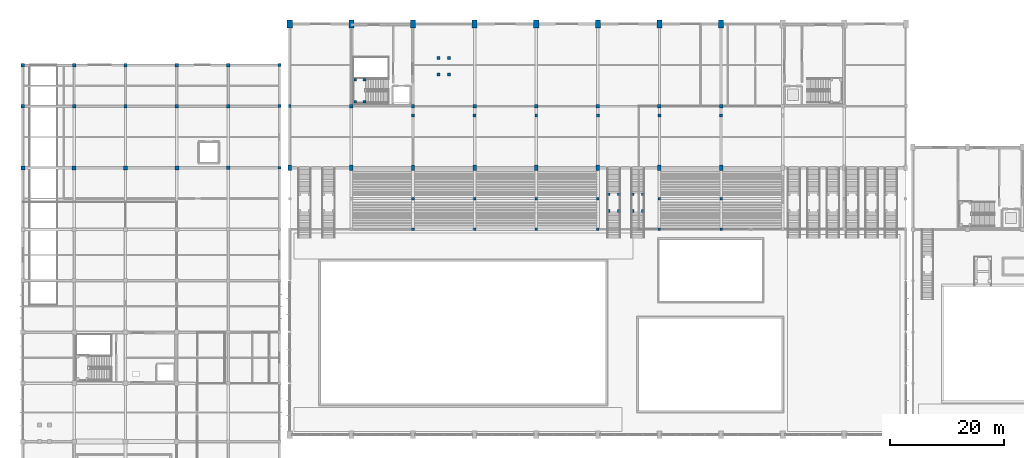
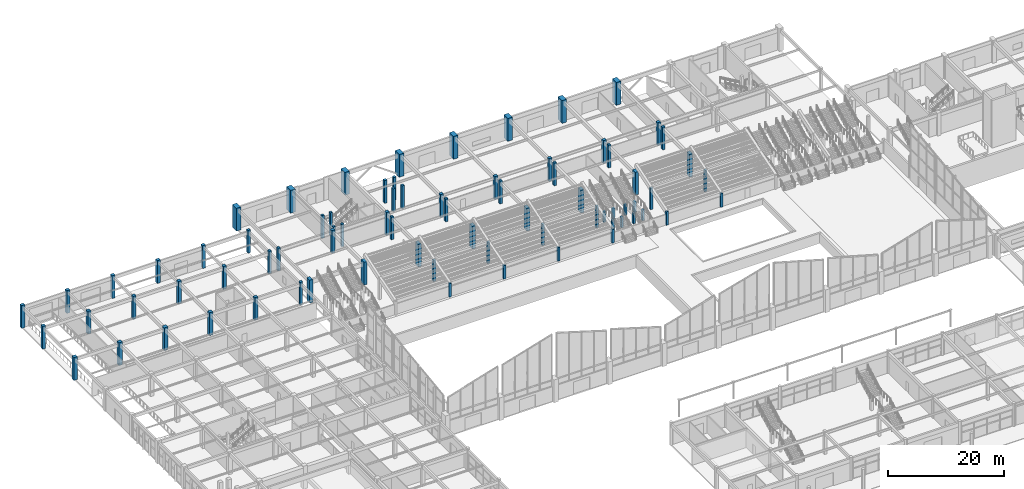
# One storey, part 8 of 82: 76 columns.
"""IFC4 building model written with IfcOpenShell, lengths in metres."""

from ifc_helpers import new_model, si_unit, direction, frame, origin, origin_2d, place, context, subcontext, project, spatial, rectangle, extrude, material, material_profile, profile_set, type_object, element, save


model = new_model("IFC4")

# Units and contexts
model_context = context("Model", 3, precision=1e-05, world=origin(), true_north=direction((0.0, 1.0)))
body_context = subcontext(model_context, "Body", "Model", "MODEL_VIEW")
ifc_project = project(units=[si_unit("LENGTHUNIT", "METRE"), si_unit("AREAUNIT", "SQUARE_METRE"), si_unit("VOLUMEUNIT", "CUBIC_METRE"), si_unit("PLANEANGLEUNIT", "RADIAN"), si_unit("MASSUNIT", "GRAM", prefix="KILO")], contexts=[model_context])

# Site, building, storey
site_placement = place(None, origin())
site = spatial("IfcSite", under=ifc_project, at=site_placement, CompositionType="ELEMENT")
building_placement = place(site_placement, origin())
building = spatial("IfcBuilding", under=site, at=building_placement, Name="Suirenkawa Promenade Aquatics Centre", CompositionType="ELEMENT")
storey_placement = place(building_placement, origin())
storey = spatial("IfcBuildingStorey", under=building, at=storey_placement, Name="L00", CompositionType="ELEMENT", Elevation=0.0)

# Columns
ifc_material = material(Name="Concrete M40", Category="concrete")
ifc_material_profile_1 = material_profile(ifc_material, rectangle(XDim=0.60009765625, YDim=1.0, at=origin_2d()), Name="RC PIER 600x1000", Category="concrete")
ifc_profile_set_1 = profile_set([ifc_material_profile_1], Name="Concrete M40")
column_type_1 = type_object("IfcColumnType", Name="CT-PIER-600x1000", PredefinedType="COLUMN", material=ifc_profile_set_1)
for number, where, z_axis, x_axis, name in (
    (1, (46.800048828125, 97.199951171875, 0.0), (0.0, 0.0, 1.0), (1.0, 0.0, 0.0), "Column CL-07 COL-0104"),
    (2, (57.60009765625, 97.199951171875, 0.0), (0.0, 0.0, 1.0), (1.0, 0.0, 0.0), "Column CL-07 COL-0110"),
    (3, (68.39990234375, 97.199951171875, 0.0), (0.0, 0.0, 1.0), (1.0, 0.0, 0.0), "Column CL-07 COL-0113"),
    (4, (79.199951171875, 97.199951171875, 0.0), (0.0, 0.0, 1.0), (1.0, 0.0, 0.0), "Column CL-07 COL-0119"),
    (5, (90.0, 97.199951171875, 0.0), (0.0, 0.0, 1.0), (1.0, 0.0, 0.0), "Column CL-07 COL-0125"),
    (6, (100.800048828125, 97.199951171875, 0.0), (0.0, 0.0, 1.0), (1.0, 0.0, 0.0), "Column CL-07 COL-0131"),
    (7, (111.60009765625, 97.199951171875, 0.0), (0.0, 0.0, 1.0), (1.0, 0.0, 0.0), "Column CL-07 COL-0134"),
    (8, (122.39990234375, 97.199951171875, 0.0), (0.0, 0.0, 1.0), (1.0, 0.0, 0.0), "Column CL-07 COL-0140"),
):
    element("IfcColumn", number, at=place(storey_placement, frame(where, z_axis=z_axis, x_axis=x_axis)), inside=storey, type_object=column_type_1, Name=name, PredefinedType="COLUMN", context=body_context, shape_type="SweptSolid", body=[
        extrude(rectangle(XDim=0.60009765625, YDim=1.0, at=origin_2d()), origin(), (0.0, 0.0, 1.0), 4.800048828125),
    ])
ifc_material_profile_2 = material_profile(ifc_material, rectangle(XDim=0.89990234375, YDim=1.39990234375, at=origin_2d()), Name="RC PIER 900x1400", Category="concrete")
ifc_profile_set_2 = profile_set([ifc_material_profile_2], Name="Concrete M40")
column_type_2 = type_object("IfcColumnType", Name="CT-PIER-900x1400", PredefinedType="COLUMN", material=ifc_profile_set_2)
for number, where, z_axis, x_axis, name in (
    (9, (68.39990234375, 122.39990234375, 0.0), (0.0, 0.0, 1.0), (1.0, 0.0, 0.0), "Column CL-09 COL-0002"),
    (10, (111.60009765625, 122.39990234375, 0.0), (0.0, 0.0, 1.0), (1.0, 0.0, 0.0), "Column CL-09 COL-0007"),
    (11, (46.800048828125, 122.39990234375, 0.0), (0.0, 0.0, 1.0), (1.0, 0.0, 0.0), "Column CL-09 COL-0037"),
    (12, (57.60009765625, 122.39990234375, 0.0), (0.0, 0.0, 1.0), (1.0, 0.0, 0.0), "Column CL-09 COL-0041"),
    (13, (79.199951171875, 122.39990234375, 0.0), (0.0, 0.0, 1.0), (1.0, 0.0, 0.0), "Column CL-09 COL-0049"),
    (14, (90.0, 122.39990234375, 0.0), (0.0, 0.0, 1.0), (1.0, 0.0, 0.0), "Column CL-09 COL-0053"),
    (15, (100.800048828125, 122.39990234375, 0.0), (0.0, 0.0, 1.0), (1.0, 0.0, 0.0), "Column CL-09 COL-0057"),
    (16, (122.39990234375, 122.39990234375, 0.0), (0.0, 0.0, 1.0), (1.0, 0.0, 0.0), "Column CL-09 COL-0065"),
):
    element("IfcColumn", number, at=place(storey_placement, frame(where, z_axis=z_axis, x_axis=x_axis)), inside=storey, type_object=column_type_2, Name=name, PredefinedType="COLUMN", context=body_context, shape_type="SweptSolid", body=[
        extrude(rectangle(XDim=0.89990234375, YDim=1.39990234375, at=origin_2d()), origin(), (0.0, 0.0, 1.0), 4.800048828125),
    ])
ifc_material_profile_3 = material_profile(ifc_material, rectangle(XDim=0.449951171875, YDim=0.449951171875, at=origin_2d()), Name="RC COL 450x450", Category="concrete")
ifc_profile_set_3 = profile_set([ifc_material_profile_3], Name="Concrete M40")
column_type_3 = type_object("IfcColumnType", Name="CT-RC-450", PredefinedType="COLUMN", material=ifc_profile_set_3)
column_1_placement = place(storey_placement, frame((68.39990234375, 86.39990234375, 0.0), z_axis=(0.0, 0.0, 1.0), x_axis=(1.0, 0.0, 0.0)))
element("IfcColumn", 17, at=column_1_placement, inside=storey, type_object=column_type_3, Name="Column CL-01 COL-0956", PredefinedType="COLUMN", context=body_context, shape_type="SweptSolid", body=[
    extrude(rectangle(XDim=0.449951171875, YDim=0.449951171875, at=origin_2d()), origin(), (0.0, 0.0, 1.0), 2.85009765625),
])
column_2_placement = place(storey_placement, frame((68.39990234375, 91.800048828125, 0.0), z_axis=(0.0, 0.0, 1.0), x_axis=(1.0, 0.0, 0.0)))
element("IfcColumn", 18, at=column_2_placement, inside=storey, type_object=column_type_3, Name="Column CL-01 COL-0958", PredefinedType="COLUMN", context=body_context, shape_type="SweptSolid", body=[
    extrude(rectangle(XDim=0.449951171875, YDim=0.449951171875, at=origin_2d()), origin(), (0.0, 0.0, 1.0), 4.5),
])
column_3_placement = place(storey_placement, frame((79.199951171875, 86.39990234375, 0.0), z_axis=(0.0, 0.0, 1.0), x_axis=(1.0, 0.0, 0.0)))
element("IfcColumn", 19, at=column_3_placement, inside=storey, type_object=column_type_3, Name="Column CL-01 COL-0960", PredefinedType="COLUMN", context=body_context, shape_type="SweptSolid", body=[
    extrude(rectangle(XDim=0.449951171875, YDim=0.449951171875, at=origin_2d()), origin(), (0.0, 0.0, 1.0), 2.85009765625),
])
column_4_placement = place(storey_placement, frame((79.199951171875, 91.800048828125, 0.0), z_axis=(0.0, 0.0, 1.0), x_axis=(1.0, 0.0, 0.0)))
element("IfcColumn", 20, at=column_4_placement, inside=storey, type_object=column_type_3, Name="Column CL-01 COL-0962", PredefinedType="COLUMN", context=body_context, shape_type="SweptSolid", body=[
    extrude(rectangle(XDim=0.449951171875, YDim=0.449951171875, at=origin_2d()), origin(), (0.0, 0.0, 1.0), 4.5),
])
column_5_placement = place(storey_placement, frame((90.0, 86.39990234375, 0.0), z_axis=(0.0, 0.0, 1.0), x_axis=(1.0, 0.0, 0.0)))
element("IfcColumn", 21, at=column_5_placement, inside=storey, type_object=column_type_3, Name="Column CL-01 COL-0964", PredefinedType="COLUMN", context=body_context, shape_type="SweptSolid", body=[
    extrude(rectangle(XDim=0.449951171875, YDim=0.449951171875, at=origin_2d()), origin(), (0.0, 0.0, 1.0), 2.85009765625),
])
column_6_placement = place(storey_placement, frame((90.0, 91.800048828125, 0.0), z_axis=(0.0, 0.0, 1.0), x_axis=(1.0, 0.0, 0.0)))
element("IfcColumn", 22, at=column_6_placement, inside=storey, type_object=column_type_3, Name="Column CL-01 COL-0966", PredefinedType="COLUMN", context=body_context, shape_type="SweptSolid", body=[
    extrude(rectangle(XDim=0.449951171875, YDim=0.449951171875, at=origin_2d()), origin(), (0.0, 0.0, 1.0), 4.5),
])
column_7_placement = place(storey_placement, frame((100.800048828125, 86.39990234375, 0.0), z_axis=(0.0, 0.0, 1.0), x_axis=(1.0, 0.0, 0.0)))
element("IfcColumn", 23, at=column_7_placement, inside=storey, type_object=column_type_3, Name="Column CL-01 COL-0968", PredefinedType="COLUMN", context=body_context, shape_type="SweptSolid", body=[
    extrude(rectangle(XDim=0.449951171875, YDim=0.449951171875, at=origin_2d()), origin(), (0.0, 0.0, 1.0), 2.85009765625),
])
column_8_placement = place(storey_placement, frame((100.800048828125, 91.800048828125, 0.0), z_axis=(0.0, 0.0, 1.0), x_axis=(1.0, 0.0, 0.0)))
element("IfcColumn", 24, at=column_8_placement, inside=storey, type_object=column_type_3, Name="Column CL-01 COL-0970", PredefinedType="COLUMN", context=body_context, shape_type="SweptSolid", body=[
    extrude(rectangle(XDim=0.449951171875, YDim=0.449951171875, at=origin_2d()), origin(), (0.0, 0.0, 1.0), 4.5),
])
column_9_placement = place(storey_placement, frame((111.60009765625, 86.39990234375, 0.0), z_axis=(0.0, 0.0, 1.0), x_axis=(1.0, 0.0, 0.0)))
element("IfcColumn", 25, at=column_9_placement, inside=storey, type_object=column_type_3, Name="Column CL-01 COL-0972", PredefinedType="COLUMN", context=body_context, shape_type="SweptSolid", body=[
    extrude(rectangle(XDim=0.449951171875, YDim=0.449951171875, at=origin_2d()), origin(), (0.0, 0.0, 1.0), 2.85009765625),
])
column_10_placement = place(storey_placement, frame((111.60009765625, 91.800048828125, 0.0), z_axis=(0.0, 0.0, 1.0), x_axis=(1.0, 0.0, 0.0)))
element("IfcColumn", 26, at=column_10_placement, inside=storey, type_object=column_type_3, Name="Column CL-01 COL-0974", PredefinedType="COLUMN", context=body_context, shape_type="SweptSolid", body=[
    extrude(rectangle(XDim=0.449951171875, YDim=0.449951171875, at=origin_2d()), origin(), (0.0, 0.0, 1.0), 4.5),
])
column_11_placement = place(storey_placement, frame((122.39990234375, 86.39990234375, 0.0), z_axis=(0.0, 0.0, 1.0), x_axis=(1.0, 0.0, 0.0)))
element("IfcColumn", 27, at=column_11_placement, inside=storey, type_object=column_type_3, Name="Column CL-01 COL-0976", PredefinedType="COLUMN", context=body_context, shape_type="SweptSolid", body=[
    extrude(rectangle(XDim=0.449951171875, YDim=0.449951171875, at=origin_2d()), origin(), (0.0, 0.0, 1.0), 2.85009765625),
])
column_12_placement = place(storey_placement, frame((122.39990234375, 91.800048828125, 0.0), z_axis=(0.0, 0.0, 1.0), x_axis=(1.0, 0.0, 0.0)))
element("IfcColumn", 28, at=column_12_placement, inside=storey, type_object=column_type_3, Name="Column CL-01 COL-0978", PredefinedType="COLUMN", context=body_context, shape_type="SweptSolid", body=[
    extrude(rectangle(XDim=0.449951171875, YDim=0.449951171875, at=origin_2d()), origin(), (0.0, 0.0, 1.0), 4.5),
])
for number, where, z_axis, x_axis, name in (
    (29, (102.695068359375, 89.625, 0.0), (0.0, 0.0, 1.0), (1.0, 0.0, 0.0), "Column CL-01 COL-1008"),
    (30, (102.695068359375, 92.52490234375, 0.0), (0.0, 0.0, 1.0), (1.0, 0.0, 0.0), "Column CL-01 COL-1010"),
    (31, (104.5048828125, 89.625, 0.0), (0.0, 0.0, 1.0), (1.0, 0.0, 0.0), "Column CL-01 COL-1012"),
    (32, (104.5048828125, 92.52490234375, 0.0), (0.0, 0.0, 1.0), (1.0, 0.0, 0.0), "Column CL-01 COL-1014"),
    (33, (106.89501953125, 89.625, 0.0), (0.0, 0.0, 1.0), (1.0, 0.0, 0.0), "Column CL-01 COL-1016"),
    (34, (106.89501953125, 92.52490234375, 0.0), (0.0, 0.0, 1.0), (1.0, 0.0, 0.0), "Column CL-01 COL-1018"),
    (35, (108.705078125, 89.625, 0.0), (0.0, 0.0, 1.0), (1.0, 0.0, 0.0), "Column CL-01 COL-1020"),
    (36, (108.705078125, 92.52490234375, 0.0), (0.0, 0.0, 1.0), (1.0, 0.0, 0.0), "Column CL-01 COL-1022"),
):
    element("IfcColumn", number, at=place(storey_placement, frame(where, z_axis=z_axis, x_axis=x_axis)), inside=storey, type_object=column_type_3, Name=name, PredefinedType="COLUMN", context=body_context, shape_type="SweptSolid", body=[
        extrude(rectangle(XDim=0.449951171875, YDim=0.449951171875, at=origin_2d()), origin(), (0.0, 0.0, 1.0), 2.239990234375),
    ])
for number, where, z_axis, x_axis, name in (
    (37, (58.25, 108.77001953125, 0.0), (0.0, 0.0, 1.0), (1.0, 0.0, 0.0), "Core stair landing column CL-01 COL-CR-C3-L00-1"),
    (38, (59.89990234375, 108.77001953125, 0.0), (0.0, 0.0, 1.0), (1.0, 0.0, 0.0), "Core stair landing column CL-01 COL-CR-C3-L00-2"),
    (39, (58.25, 112.659912109375, 0.0), (0.0, 0.0, 1.0), (1.0, 0.0, 0.0), "Core stair landing column CL-01 COL-CR-C3-L00-3"),
    (40, (59.89990234375, 112.659912109375, 0.0), (0.0, 0.0, 1.0), (1.0, 0.0, 0.0), "Core stair landing column CL-01 COL-CR-C3-L00-4"),
):
    element("IfcColumn", number, at=place(storey_placement, frame(where, z_axis=z_axis, x_axis=x_axis)), inside=storey, type_object=column_type_3, Name=name, PredefinedType="COLUMN", context=body_context, shape_type="SweptSolid", body=[
        extrude(rectangle(XDim=0.449951171875, YDim=0.449951171875, at=origin_2d()), origin(), (0.0, 0.0, 1.0), 4.800048828125),
    ])
ifc_material_profile_4 = material_profile(ifc_material, rectangle(XDim=0.5, YDim=0.5, at=origin_2d()), Name="RC COL 500x500", Category="concrete")
ifc_profile_set_4 = profile_set([ifc_material_profile_4], Name="Concrete M40")
column_type_4 = type_object("IfcColumnType", Name="CT-RC-500", PredefinedType="COLUMN", material=ifc_profile_set_4)
for number, where, z_axis, x_axis, name in (
    (41, (45.0, 97.199951171875, 0.0), (0.0, 0.0, 1.0), (1.0, 0.0, 0.0), "Column CL-02 COL-0747"),
    (42, (45.0, 108.0, 0.0), (0.0, 0.0, 1.0), (1.0, 0.0, 0.0), "Column CL-02 COL-0750"),
    (43, (45.0, 115.199951171875, 0.0), (0.0, 0.0, 1.0), (1.0, 0.0, 0.0), "Column CL-02 COL-0753"),
    (44, (46.800048828125, 108.0, 0.0), (0.0, 0.0, 1.0), (1.0, 0.0, 0.0), "Column CL-02 COL-0756"),
    (45, (68.39990234375, 106.35009765625, 0.0), (0.0, 0.0, 1.0), (1.0, 0.0, 0.0), "Column CL-02 COL-0759"),
    (46, (79.199951171875, 106.35009765625, 0.0), (0.0, 0.0, 1.0), (1.0, 0.0, 0.0), "Column CL-02 COL-0762"),
    (47, (90.0, 106.35009765625, 0.0), (0.0, 0.0, 1.0), (1.0, 0.0, 0.0), "Column CL-02 COL-0765"),
    (48, (100.800048828125, 106.35009765625, 0.0), (0.0, 0.0, 1.0), (1.0, 0.0, 0.0), "Column CL-02 COL-0768"),
    (49, (111.60009765625, 106.35009765625, 0.0), (0.0, 0.0, 1.0), (1.0, 0.0, 0.0), "Column CL-02 COL-0771"),
    (50, (122.39990234375, 106.35009765625, 0.0), (0.0, 0.0, 1.0), (1.0, 0.0, 0.0), "Column CL-02 COL-0774"),
    (51, (72.89501953125, 113.52490234375, 0.0), (0.0, 0.0, 1.0), (1.0, 0.0, 0.0), "Column CL-02 COL-0909"),
    (52, (72.89501953125, 116.425048828125, 0.0), (0.0, 0.0, 1.0), (1.0, 0.0, 0.0), "Column CL-02 COL-0912"),
    (53, (74.705078125, 113.52490234375, 0.0), (0.0, 0.0, 1.0), (1.0, 0.0, 0.0), "Column CL-02 COL-0915"),
    (54, (74.705078125, 116.425048828125, 0.0), (0.0, 0.0, 1.0), (1.0, 0.0, 0.0), "Column CL-02 COL-0918"),
):
    element("IfcColumn", number, at=place(storey_placement, frame(where, z_axis=z_axis, x_axis=x_axis)), inside=storey, type_object=column_type_4, Name=name, PredefinedType="COLUMN", context=body_context, shape_type="SweptSolid", body=[
        extrude(rectangle(XDim=0.5, YDim=0.5, at=origin_2d()), origin(), (0.0, 0.0, 1.0), 4.800048828125),
    ])
ifc_material_profile_5 = material_profile(ifc_material, rectangle(XDim=0.60009765625, YDim=0.60009765625, at=origin_2d()), Name="RC COL 600x600", Category="concrete")
ifc_profile_set_5 = profile_set([ifc_material_profile_5], Name="Concrete M40")
column_type_5 = type_object("IfcColumnType", Name="CT-RC-600", PredefinedType="COLUMN", material=ifc_profile_set_5)
for number, where, z_axis, x_axis, name in (
    (55, (0.0, 108.0, 0.0), (0.0, 0.0, 1.0), (1.0, 0.0, 0.0), "Column CL-03 COL-0493"),
    (56, (0.0, 115.199951171875, 0.0), (0.0, 0.0, 1.0), (1.0, 0.0, 0.0), "Column CL-03 COL-0497"),
    (57, (9.0, 108.0, 0.0), (0.0, 0.0, 1.0), (1.0, 0.0, 0.0), "Column CL-03 COL-0501"),
    (58, (9.0, 115.199951171875, 0.0), (0.0, 0.0, 1.0), (1.0, 0.0, 0.0), "Column CL-03 COL-0505"),
    (59, (18.0, 108.0, 0.0), (0.0, 0.0, 1.0), (1.0, 0.0, 0.0), "Column CL-03 COL-0509"),
    (60, (18.0, 115.199951171875, 0.0), (0.0, 0.0, 1.0), (1.0, 0.0, 0.0), "Column CL-03 COL-0513"),
    (61, (27.0, 108.0, 0.0), (0.0, 0.0, 1.0), (1.0, 0.0, 0.0), "Column CL-03 COL-0517"),
    (62, (27.0, 115.199951171875, 0.0), (0.0, 0.0, 1.0), (1.0, 0.0, 0.0), "Column CL-03 COL-0521"),
    (63, (36.0, 97.199951171875, 0.0), (0.0, 0.0, 1.0), (1.0, 0.0, 0.0), "Column CL-03 COL-0565"),
    (64, (36.0, 108.0, 0.0), (0.0, 0.0, 1.0), (1.0, 0.0, 0.0), "Column CL-03 COL-0569"),
    (65, (36.0, 115.199951171875, 0.0), (0.0, 0.0, 1.0), (1.0, 0.0, 0.0), "Column CL-03 COL-0573"),
    (66, (57.60009765625, 108.0, 0.0), (0.0, 0.0, 1.0), (1.0, 0.0, 0.0), "Column CL-03 COL-0577"),
    (67, (68.39990234375, 108.0, 0.0), (0.0, 0.0, 1.0), (1.0, 0.0, 0.0), "Column CL-03 COL-0581"),
    (68, (79.199951171875, 108.0, 0.0), (0.0, 0.0, 1.0), (1.0, 0.0, 0.0), "Column CL-03 COL-0585"),
    (69, (90.0, 108.0, 0.0), (0.0, 0.0, 1.0), (1.0, 0.0, 0.0), "Column CL-03 COL-0589"),
    (70, (100.800048828125, 108.0, 0.0), (0.0, 0.0, 1.0), (1.0, 0.0, 0.0), "Column CL-03 COL-0593"),
    (71, (111.60009765625, 108.0, 0.0), (0.0, 0.0, 1.0), (1.0, 0.0, 0.0), "Column CL-03 COL-0597"),
    (72, (122.39990234375, 108.0, 0.0), (0.0, 0.0, 1.0), (1.0, 0.0, 0.0), "Column CL-03 COL-0601"),
):
    element("IfcColumn", number, at=place(storey_placement, frame(where, z_axis=z_axis, x_axis=x_axis)), inside=storey, type_object=column_type_5, Name=name, PredefinedType="COLUMN", context=body_context, shape_type="SweptSolid", body=[
        extrude(rectangle(XDim=0.60009765625, YDim=0.60009765625, at=origin_2d()), origin(), (0.0, 0.0, 1.0), 4.800048828125),
    ])
ifc_material_profile_6 = material_profile(ifc_material, rectangle(XDim=0.699951171875, YDim=0.699951171875, at=origin_2d()), Name="RC COL 700x700", Category="concrete")
ifc_profile_set_6 = profile_set([ifc_material_profile_6], Name="Concrete M40")
column_type_6 = type_object("IfcColumnType", Name="CT-RC-700", PredefinedType="COLUMN", material=ifc_profile_set_6)
for number, where, z_axis, x_axis, name in (
    (73, (0.0, 97.199951171875, 0.0), (0.0, 0.0, 1.0), (1.0, 0.0, 0.0), "Column CL-04 COL-0363"),
    (74, (9.0, 97.199951171875, 0.0), (0.0, 0.0, 1.0), (1.0, 0.0, 0.0), "Column CL-04 COL-0378"),
    (75, (18.0, 97.199951171875, 0.0), (0.0, 0.0, 1.0), (1.0, 0.0, 0.0), "Column CL-04 COL-0393"),
    (76, (27.0, 97.199951171875, 0.0), (0.0, 0.0, 1.0), (1.0, 0.0, 0.0), "Column CL-04 COL-0408"),
):
    element("IfcColumn", number, at=place(storey_placement, frame(where, z_axis=z_axis, x_axis=x_axis)), inside=storey, type_object=column_type_6, Name=name, PredefinedType="COLUMN", context=body_context, shape_type="SweptSolid", body=[
        extrude(rectangle(XDim=0.699951171875, YDim=0.699951171875, at=origin_2d()), origin(), (0.0, 0.0, 1.0), 4.800048828125),
    ])

save(model, "model.ifc")
